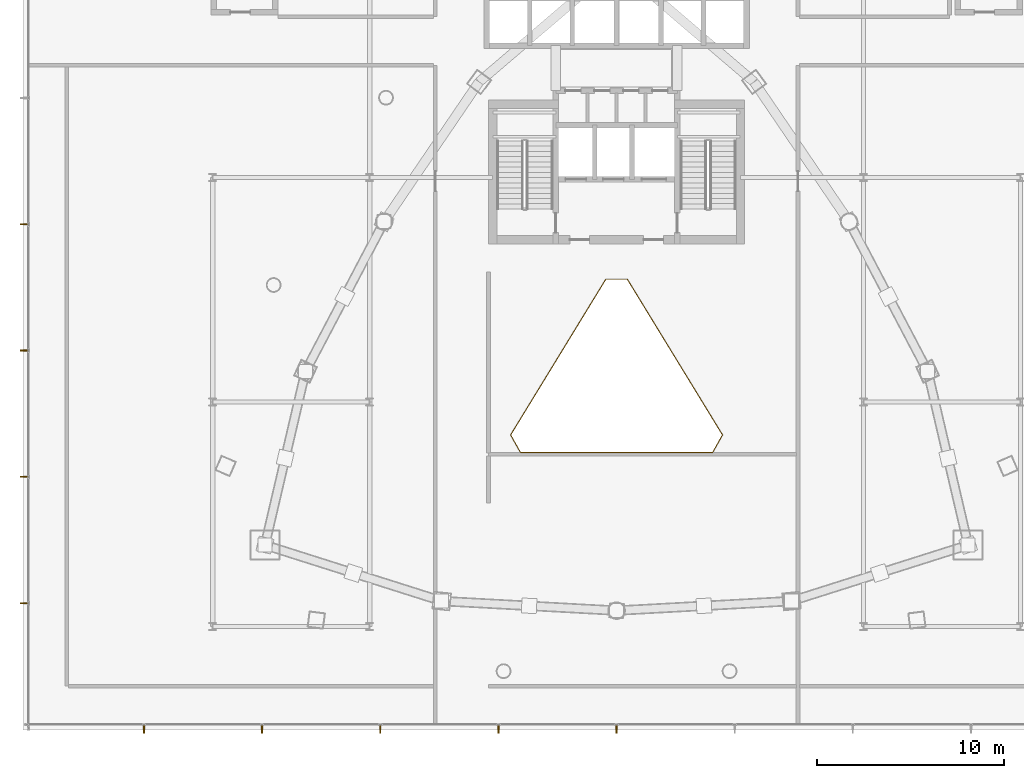
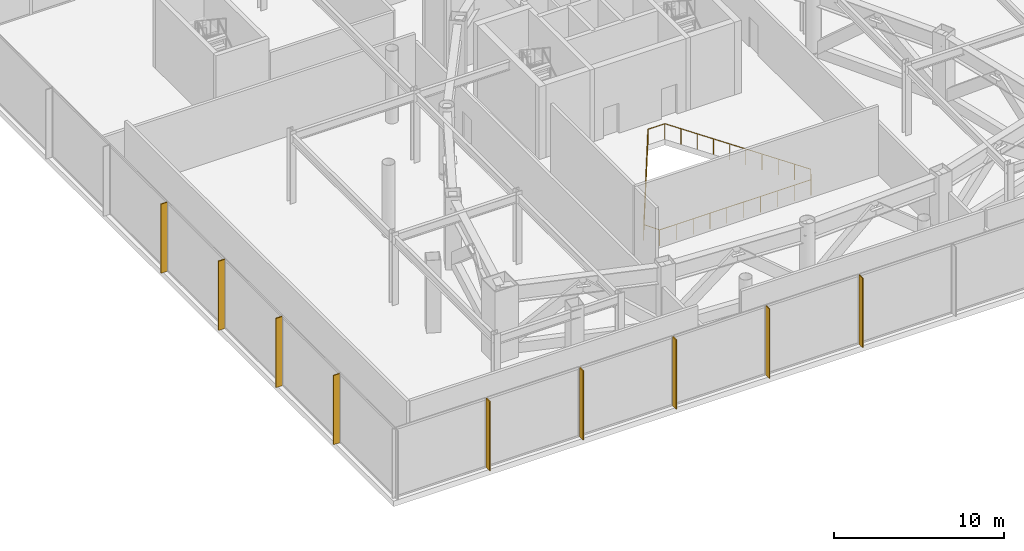
# One storey, part 37 of 43: 9 shading devices, 1 railing.
"""IFC4 building model written with IfcOpenShell, lengths in metres."""

import ifcopenshell
import ifcopenshell.guid

model = None  # the IFC model being written
_history = None  # IfcOwnerHistory: only IFC2X3 demands one
_inside = {}  # id of a spatial element -> (the spatial element, [elements in it])
_under = {}  # id of a project, library or spatial element -> (it, [spatial elements below it])
_declared = {}  # id of a project -> (the project, [libraries it declares])
_typed = {}  # id of a type object -> (the type object, [elements of that type])
_made_of = {}  # id of a material, layer set ... -> (it, [elements and type objects made of it])


def new_model(schema):
    """Start an empty IFC model of exactly this schema.

    Asked for "IFC4X3", IfcOpenShell would pick the latest addendum, in which some entities
    have other attributes; the version numbers below select the first issue.
    IFC2X3 requires an IfcOwnerHistory on every rooted entity: one is made here for all.
    """
    global model, _history
    if schema == "IFC4X3":
        model = ifcopenshell.file(schema_version=(4, 3, 0, 0))
    else:
        model = ifcopenshell.file(schema=schema)
    _inside.clear()
    _under.clear()
    _declared.clear()
    _typed.clear()
    _made_of.clear()
    _history = None
    if model.schema == "IFC2X3":
        org = make("IfcOrganization", Name="unknown")
        user = make(
            "IfcPersonAndOrganization",
            ThePerson=make("IfcPerson", FamilyName="unknown"),
            TheOrganization=org,
        )
        app = make(
            "IfcApplication",
            ApplicationDeveloper=org,
            Version="unknown",
            ApplicationFullName="unknown",
            ApplicationIdentifier="unknown",
        )
        _history = make(
            "IfcOwnerHistory",
            OwningUser=user,
            OwningApplication=app,
            ChangeAction="ADDED",
            CreationDate=0,
        )
    return model


def make(cls, **values):
    """One entity of the class cls with the attributes given. An attribute that is None is left unset."""
    return model.create_entity(
        cls, **{name: value for name, value in values.items() if value is not None}
    )


def rooted(cls, **values):
    """An entity with a GlobalId (a new one), such as an element, a storey or a relation."""
    return make(cls, GlobalId=ifcopenshell.guid.new(), OwnerHistory=_history, **values)


def si_unit(unit_type, name, prefix=None):
    """IfcSIUnit, for example si_unit("LENGTHUNIT", "METRE", prefix="MILLI")."""
    return make("IfcSIUnit", UnitType=unit_type, Prefix=prefix, Name=name)


def assignment(units):
    """IfcUnitAssignment: the units of a project."""
    return None if units is None else make("IfcUnitAssignment", Units=units)


def point(xyz):
    """IfcCartesianPoint."""
    return None if xyz is None else make("IfcCartesianPoint", Coordinates=xyz)


def direction(xyz):
    """IfcDirection."""
    return None if xyz is None else make("IfcDirection", DirectionRatios=xyz)


def frame(location, z_axis=None, x_axis=None):
    """IfcAxis2Placement3D, a coordinate frame: its origin and axes. An axis left out is left unset."""
    return make(
        "IfcAxis2Placement3D",
        Location=point(location),
        Axis=direction(z_axis),
        RefDirection=direction(x_axis),
    )


def frame_2d(location, x_axis=None):
    """IfcAxis2Placement2D, a coordinate frame in the plane: its origin and x axis."""
    return make(
        "IfcAxis2Placement2D", Location=point(location), RefDirection=direction(x_axis)
    )


def origin():
    """The frame at (0, 0, 0) with its axes left unset."""
    return frame((0.0, 0.0, 0.0))


def origin_2d():
    """The frame at (0, 0) in the plane with its x axis left unset."""
    return frame_2d((0.0, 0.0))


def place(relative_to, where):
    """IfcLocalPlacement: puts the frame where relative to a parent placement (None: the world)."""
    return make(
        "IfcLocalPlacement", PlacementRelTo=relative_to, RelativePlacement=where
    )


def context(
    kind, dimensions, precision=None, world=None, true_north=None, identifier=None
):
    """IfcGeometricRepresentationContext, for example the 3D "Model" context."""
    return make(
        "IfcGeometricRepresentationContext",
        ContextIdentifier=identifier,
        ContextType=kind,
        CoordinateSpaceDimension=dimensions,
        Precision=precision,
        WorldCoordinateSystem=world,
        TrueNorth=true_north,
    )


def subcontext(parent, identifier, kind, view, scale=None):
    """IfcGeometricRepresentationSubContext, for example "Body" below "Model"."""
    return make(
        "IfcGeometricRepresentationSubContext",
        ContextIdentifier=identifier,
        ContextType=kind,
        ParentContext=parent,
        TargetScale=scale,
        TargetView=view,
    )


def project(units=None, contexts=None):
    """IfcProject with its units and contexts."""
    return rooted(
        "IfcProject",
        Name="project",
        RepresentationContexts=contexts,
        UnitsInContext=assignment(units),
    )


def spatial(cls, under=None, at=None, **own):
    """A site, building, storey or space (cls), placed at a placement, below another one or the project."""
    s = rooted(cls, ObjectPlacement=at, **own)
    if under is not None:
        _under.setdefault(under.id(), (under, []))[1].append(s)
    return s


def profile(cls, at=None, kind="AREA", **sizes):
    """A parametric profile (cls). Its sizes go by their IFC names, for example OverallWidth=200.0."""
    return make(cls, ProfileType=kind, Position=at, **sizes)


def rectangle(**sizes):
    """IfcRectangleProfileDef."""
    return profile("IfcRectangleProfileDef", **sizes)


def circle(**sizes):
    """IfcCircleProfileDef."""
    return profile("IfcCircleProfileDef", **sizes)


def extrude(swept, where, along, depth):
    """IfcExtrudedAreaSolid: the profile swept, set in the frame where, extruded along a direction by depth."""
    return make(
        "IfcExtrudedAreaSolid",
        SweptArea=swept,
        Position=where,
        ExtrudedDirection=direction(along),
        Depth=depth,
    )


def shape(context_of_items, identifier, shape_type, items):
    """IfcShapeRepresentation: the items that make up one representation, for example the "Body"."""
    return make(
        "IfcShapeRepresentation",
        ContextOfItems=context_of_items,
        RepresentationIdentifier=identifier,
        RepresentationType=shape_type,
        Items=items,
    )


def material(Name=None, Category=None):
    """IfcMaterial."""
    return make("IfcMaterial", Name=Name, Category=Category)


def layer(
    of_material, thickness, ventilated=None, Name=None, Category=None, Priority=None
):
    """IfcMaterialLayer: one layer of a wall or slab, of a material (None: an air gap)."""
    return make(
        "IfcMaterialLayer",
        Material=of_material,
        LayerThickness=thickness,
        IsVentilated=ventilated,
        Name=Name,
        Category=Category,
        Priority=Priority,
    )


def layer_set(layers, Name=None):
    """IfcMaterialLayerSet."""
    return make("IfcMaterialLayerSet", MaterialLayers=layers, LayerSetName=Name)


def made_of(thing, what):
    """Note that an element or type object is made of a material, layer set ...; save() writes the relation."""
    if what is not None:
        _made_of.setdefault(what.id(), (what, []))[1].append(thing)
    return thing


def type_object(cls, material=None, **own):
    """A type object (cls), such as IfcWallType, which elements share."""
    return made_of(rooted(cls, **own), material)


def element(
    cls,
    number,
    at=None,
    inside=None,
    cuts=None,
    type_object=None,
    material=None,
    context=None,
    identifier="Body",
    shape_type=None,
    held_by="IfcProductDefinitionShape",
    body=None,
    shapes=None,
    **own,
):
    """One element of the class cls, such as IfcWall. Its Tag is "e" and its number.

    at: its placement. inside: the storey or other place that contains it. cuts: it is an
    opening in that element (IfcRelVoidsElement). A single representation is given by context,
    identifier, shape_type and body (its items); several are given by shapes. held_by: the class
    of the entity that holds the representations. save() writes the other relations.
    """
    e = rooted(cls, Tag="e%d" % number, ObjectPlacement=at, **own)
    if body is not None:
        shapes = [shape(context, identifier, shape_type, body)]
    if shapes is not None:
        e.Representation = make(held_by, Representations=shapes)
    if inside is not None:
        _inside.setdefault(inside.id(), (inside, []))[1].append(e)
    if cuts is not None:
        rooted(
            "IfcRelVoidsElement", RelatingBuildingElement=cuts, RelatedOpeningElement=e
        )
    if type_object is not None:
        _typed.setdefault(type_object.id(), (type_object, []))[1].append(e)
    return made_of(e, material)


def aggregate(whole, parts):
    """IfcRelAggregates: a whole, such as a stair, and the parts it consists of."""
    return rooted("IfcRelAggregates", RelatingObject=whole, RelatedObjects=parts)


def save(model, path):
    """Write the relations noted so far, then the file.

    IfcRelAggregates (storeys below a building ...), IfcRelContainedInSpatialStructure (elements
    in a storey), IfcRelDefinesByType, IfcRelAssociatesMaterial and IfcRelDeclares: one each for
    every whole, place, type object, material and project.
    """
    for whole, parts in _under.values():
        aggregate(whole, parts)
    for where, things in _inside.values():
        rooted(
            "IfcRelContainedInSpatialStructure",
            RelatedElements=things,
            RelatingStructure=where,
        )
    for kind, things in _typed.values():
        rooted("IfcRelDefinesByType", RelatedObjects=things, RelatingType=kind)
    for what, things in _made_of.values():
        rooted("IfcRelAssociatesMaterial", RelatedObjects=things, RelatingMaterial=what)
    for by, libraries in _declared.values():
        rooted("IfcRelDeclares", RelatingContext=by, RelatedDefinitions=libraries)
    model.write(path)


model = new_model("IFC4")

# Units and contexts
model_context = context("Model", 3, precision=1e-05, world=origin(), true_north=direction((0.0, 1.0)))
body_context = subcontext(model_context, "Body", "Model", "MODEL_VIEW")
ifc_project = project(units=[si_unit("LENGTHUNIT", "METRE"), si_unit("AREAUNIT", "SQUARE_METRE"), si_unit("VOLUMEUNIT", "CUBIC_METRE"), si_unit("PLANEANGLEUNIT", "RADIAN"), si_unit("MASSUNIT", "GRAM", prefix="KILO")], contexts=[model_context])

# Site, building, storey
site_placement = place(None, origin())
site = spatial("IfcSite", under=ifc_project, at=site_placement, CompositionType="ELEMENT")
building_placement = place(site_placement, origin())
building = spatial("IfcBuilding", under=site, at=building_placement, Name="Orvanel Arch Residences", CompositionType="ELEMENT")
storey_placement = place(building_placement, frame((0.0, 0.0, 18.39990234375)))
storey = spatial("IfcBuildingStorey", under=building, at=storey_placement, Name="L04", CompositionType="ELEMENT", Elevation=18.39990234375)

# Shading devices
ifc_material = material(Name="Bronze-anodised aluminium AA6063-T6", Category="aluminium")
ifc_layer = layer(ifc_material, 0.06494140625)
ifc_layer_set = layer_set([ifc_layer], Name="Bronze-anodised aluminium AA6063-T6")
shading_device_type = type_object("IfcShadingDeviceType", Name="FIN-BRZ-420", PredefinedType="USERDEFINED", material=ifc_layer_set)
for number, where, z_axis, x_axis, name in (
    (1, (7.72802734375, 0.510009765625, 0.0), (0.0, 0.0, 1.0), (0.0, -1.0, 0.0), "L04 Anodised Bronze Mullion FIN 01"),
    (2, (14.0458984375, 0.510009765625, 0.0), (0.0, 0.0, 1.0), (0.0, -1.0, 0.0), "L04 Anodised Bronze Mullion FIN 02"),
    (3, (20.364013671875, 0.510009765625, 0.0), (0.0, 0.0, 1.0), (0.0, -1.0, 0.0), "L04 Anodised Bronze Mullion FIN 03"),
    (4, (26.681884765625, 0.510009765625, 0.0), (0.0, 0.0, 1.0), (0.0, -1.0, 0.0), "L04 Anodised Bronze Mullion FIN 04"),
    (5, (33.0, 0.510009765625, 0.0), (0.0, 0.0, 1.0), (0.0, -1.0, 0.0), "L04 Anodised Bronze Mullion FIN 05"),
    (6, (1.31005859375, 27.5, 0.0), (0.0, 0.0, 1.0), (-1.0, 0.0, 0.0), "L04 Anodised Bronze Mullion FIN 04"),
    (7, (1.31005859375, 20.748046875, 0.0), (0.0, 0.0, 1.0), (-1.0, 0.0, 0.0), "L04 Anodised Bronze Mullion FIN 05"),
    (8, (1.31005859375, 13.9951171875, 0.0), (0.0, 0.0, 1.0), (-1.0, 0.0, 0.0), "L04 Anodised Bronze Mullion FIN 06"),
    (9, (1.31005859375, 7.241943359375, 0.0), (0.0, 0.0, 1.0), (-1.0, 0.0, 0.0), "L04 Anodised Bronze Mullion FIN 07"),
):
    element("IfcShadingDevice", number, at=place(storey_placement, frame(where, z_axis=z_axis, x_axis=x_axis)), inside=storey, type_object=shading_device_type, Name=name, ObjectType="FIN", PredefinedType="USERDEFINED", context=body_context, shape_type="SweptSolid", body=[
        extrude(rectangle(XDim=0.419921875, YDim=0.06494140625, at=origin_2d()), origin(), (0.0, 0.0, 1.0), 4.9599609375),
    ])

# Railing
railing_type = type_object("IfcRailingType", Name="RL-ATR-1150", PredefinedType="BALUSTRADE", material=ifc_material)
railing_placement = place(storey_placement, frame((33.573974609375, 24.56103515625, 0.0)))
element("IfcRailing", 10, at=railing_placement, inside=storey, type_object=railing_type, Name="L04 Atrium Overlook Balustrade", PredefinedType="BALUSTRADE", context=body_context, shape_type="SweptSolid", body=[
    extrude(circle(Radius=0.02392578125, at=origin_2d()), frame((-0.00146484375, 0.0, 1.1259765625), z_axis=(-1.0, 0.0, 0.0), x_axis=(0.0, -1.0, 0.0)), (0.0, 0.0, 1.0), 1.14501953125),
    extrude(circle(Radius=0.02392578125, at=origin_2d()), frame((-1.148681640625, -0.001220703125, 1.1259765625), z_axis=(-0.521588691776, -0.853197067864, 0.0), x_axis=(0.853197067864, -0.521588691776, 0.0)), (0.0, 0.0, 1.0), 9.751953125),
    extrude(circle(Radius=0.02392578125, at=origin_2d()), frame((-6.2353515625, -8.32421875, 1.1259765625), z_axis=(0.489894911212, -0.871781495542, 0.0), x_axis=(0.871781495542, 0.489894911212, 0.0)), (0.0, 0.0, 1.0), 1.072998046875),
    extrude(circle(Radius=0.02392578125, at=origin_2d()), frame((-5.70751953125, -9.260986328125, 1.1259765625), z_axis=(1.0, 0.0, 0.0), x_axis=(0.0, 1.0, 0.0)), (0.0, 0.0, 1.0), 10.26708984375),
    extrude(circle(Radius=0.02392578125, at=origin_2d()), frame((4.561767578125, -9.259765625, 1.1259765625), z_axis=(0.489894911212, 0.871781495542, 0.0), x_axis=(-0.871781495542, 0.489894911212, 0.0)), (0.0, 0.0, 1.0), 1.072998046875),
    extrude(circle(Radius=0.02392578125, at=origin_2d()), frame((5.08740234375, -8.32177734375, 1.1259765625), z_axis=(-0.521588691776, 0.853197067864, 0.0), x_axis=(-0.853197067864, -0.521588691776, 0.0)), (0.0, 0.0, 1.0), 9.751953125),
    extrude(circle(Radius=0.02099609375, at=origin_2d()), origin(), (0.0, 0.0, 1.0), 1.099853515625),
    extrude(circle(Radius=0.02099609375, at=origin_2d()), frame((-1.14794921875, 0.0, 0.0)), (0.0, 0.0, 1.0), 1.099853515625),
    extrude(circle(Radius=0.02099609375, at=origin_2d()), frame((-1.71337890625, -0.9248046875, 0.0)), (0.0, 0.0, 1.0), 1.099853515625),
    extrude(circle(Radius=0.02099609375, at=origin_2d()), frame((-2.278564453125, -1.849609375, 0.0)), (0.0, 0.0, 1.0), 1.099853515625),
    extrude(circle(Radius=0.02099609375, at=origin_2d()), frame((-2.843994140625, -2.7744140625, 0.0)), (0.0, 0.0, 1.0), 1.099853515625),
    extrude(circle(Radius=0.02099609375, at=origin_2d()), frame((-3.409423828125, -3.69921875, 0.0)), (0.0, 0.0, 1.0), 1.099853515625),
    extrude(circle(Radius=0.02099609375, at=origin_2d()), frame((-3.974609375, -4.623779296875, 0.0)), (0.0, 0.0, 1.0), 1.099853515625),
    extrude(circle(Radius=0.02099609375, at=origin_2d()), frame((-4.5400390625, -5.548583984375, 0.0)), (0.0, 0.0, 1.0), 1.099853515625),
    extrude(circle(Radius=0.02099609375, at=origin_2d()), frame((-5.10546875, -6.473388671875, 0.0)), (0.0, 0.0, 1.0), 1.099853515625),
    extrude(circle(Radius=0.02099609375, at=origin_2d()), frame((-5.670654296875, -7.398193359375, 0.0)), (0.0, 0.0, 1.0), 1.099853515625),
    extrude(circle(Radius=0.02099609375, at=origin_2d()), frame((-6.236083984375, -8.322998046875, 0.0)), (0.0, 0.0, 1.0), 1.099853515625),
    extrude(circle(Radius=0.02099609375, at=origin_2d()), frame((-5.708984375, -9.260986328125, 0.0)), (0.0, 0.0, 1.0), 1.099853515625),
    extrude(circle(Radius=0.02099609375, at=origin_2d()), frame((-4.56787109375, -9.260986328125, 0.0)), (0.0, 0.0, 1.0), 1.099853515625),
    extrude(circle(Radius=0.02099609375, at=origin_2d()), frame((-3.4267578125, -9.260986328125, 0.0)), (0.0, 0.0, 1.0), 1.099853515625),
    extrude(circle(Radius=0.02099609375, at=origin_2d()), frame((-2.28564453125, -9.260986328125, 0.0)), (0.0, 0.0, 1.0), 1.099853515625),
    extrude(circle(Radius=0.02099609375, at=origin_2d()), frame((-1.14453125, -9.260986328125, 0.0)), (0.0, 0.0, 1.0), 1.099853515625),
    extrude(circle(Radius=0.02099609375, at=origin_2d()), frame((-0.00341796875, -9.260986328125, 0.0)), (0.0, 0.0, 1.0), 1.099853515625),
    extrude(circle(Radius=0.02099609375, at=origin_2d()), frame((1.1376953125, -9.260986328125, 0.0)), (0.0, 0.0, 1.0), 1.099853515625),
    extrude(circle(Radius=0.02099609375, at=origin_2d()), frame((2.27880859375, -9.260986328125, 0.0)), (0.0, 0.0, 1.0), 1.099853515625),
    extrude(circle(Radius=0.02099609375, at=origin_2d()), frame((3.419921875, -9.260986328125, 0.0)), (0.0, 0.0, 1.0), 1.099853515625),
    extrude(circle(Radius=0.02099609375, at=origin_2d()), frame((4.56103515625, -9.260986328125, 0.0)), (0.0, 0.0, 1.0), 1.099853515625),
    extrude(circle(Radius=0.02099609375, at=origin_2d()), frame((5.088134765625, -8.322998046875, 0.0)), (0.0, 0.0, 1.0), 1.099853515625),
    extrude(circle(Radius=0.02099609375, at=origin_2d()), frame((4.522705078125, -7.398193359375, 0.0)), (0.0, 0.0, 1.0), 1.099853515625),
    extrude(circle(Radius=0.02099609375, at=origin_2d()), frame((3.95751953125, -6.473388671875, 0.0)), (0.0, 0.0, 1.0), 1.099853515625),
    extrude(circle(Radius=0.02099609375, at=origin_2d()), frame((3.39208984375, -5.548583984375, 0.0)), (0.0, 0.0, 1.0), 1.099853515625),
    extrude(circle(Radius=0.02099609375, at=origin_2d()), frame((2.82666015625, -4.623779296875, 0.0)), (0.0, 0.0, 1.0), 1.099853515625),
    extrude(circle(Radius=0.02099609375, at=origin_2d()), frame((2.261474609375, -3.69921875, 0.0)), (0.0, 0.0, 1.0), 1.099853515625),
    extrude(circle(Radius=0.02099609375, at=origin_2d()), frame((1.696044921875, -2.7744140625, 0.0)), (0.0, 0.0, 1.0), 1.099853515625),
    extrude(circle(Radius=0.02099609375, at=origin_2d()), frame((1.130615234375, -1.849609375, 0.0)), (0.0, 0.0, 1.0), 1.099853515625),
    extrude(circle(Radius=0.02099609375, at=origin_2d()), frame((0.5654296875, -0.9248046875, 0.0)), (0.0, 0.0, 1.0), 1.099853515625),
])

save(model, "model.ifc")
